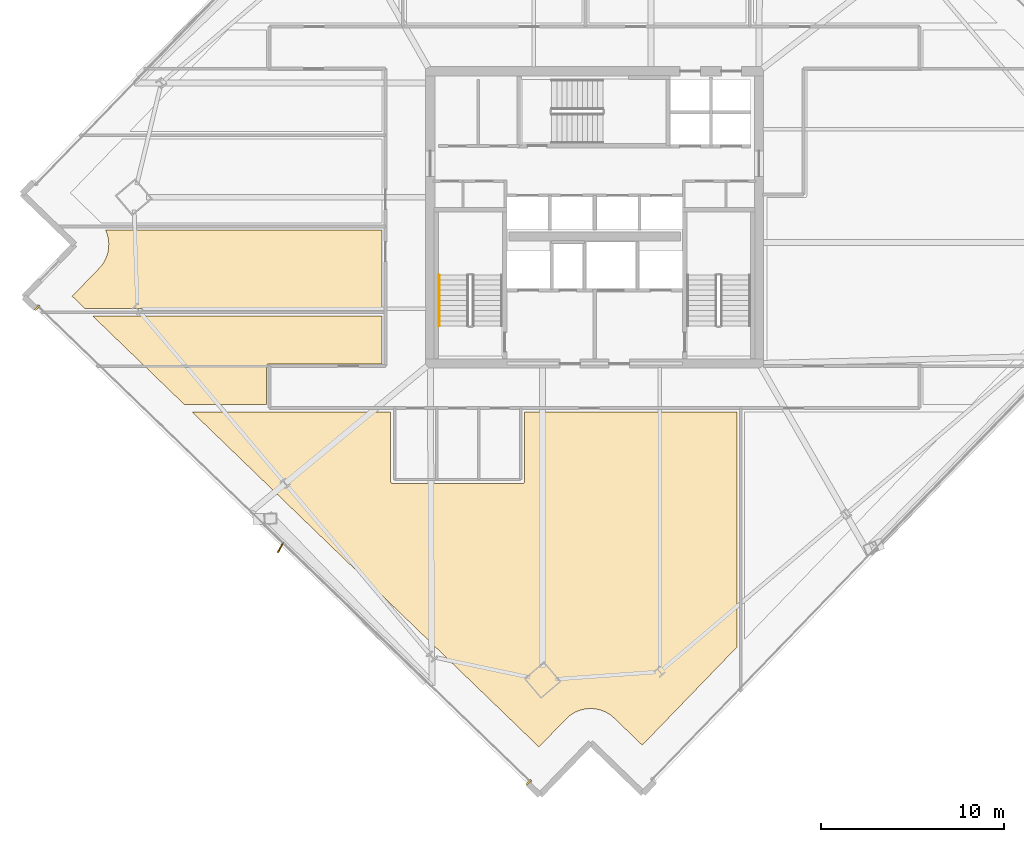
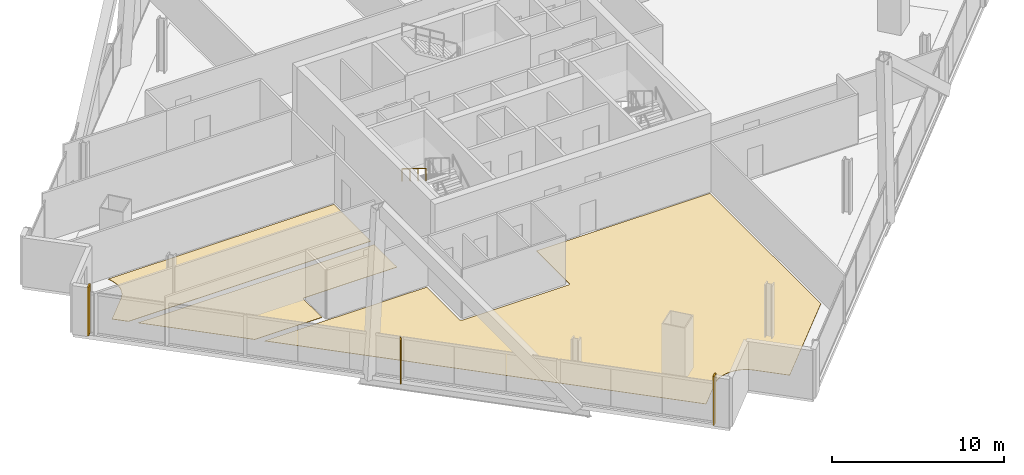
# One storey, part 29 of 33: 5 coverings, 1 railing, 1 shading device.
"""IFC4 building model written with IfcOpenShell, lengths in metres."""

from ifc_helpers import new_model, si_unit, direction, frame, origin, origin_2d, place, context, subcontext, project, spatial, polyline, rectangle, outline, extrude, source, transform, mapped, material, layer, layer_set, type_object, element, save


model = new_model("IFC4")

# Units and contexts
model_context = context("Model", 3, precision=1e-05, world=origin(), true_north=direction((0.0, 1.0)))
body_context = subcontext(model_context, "Body", "Model", "MODEL_VIEW")
ifc_project = project(units=[si_unit("LENGTHUNIT", "METRE"), si_unit("AREAUNIT", "SQUARE_METRE"), si_unit("VOLUMEUNIT", "CUBIC_METRE"), si_unit("PLANEANGLEUNIT", "RADIAN"), si_unit("MASSUNIT", "GRAM", prefix="KILO")], contexts=[model_context])

# Site, building, storey
site_placement = place(None, origin())
site = spatial("IfcSite", under=ifc_project, at=site_placement, CompositionType="ELEMENT")
building_placement = place(site_placement, origin())
building = spatial("IfcBuilding", under=site, at=building_placement, Name="Haldenkirk Collegiate Tower", CompositionType="ELEMENT")
storey_placement = place(building_placement, frame((0.0, 0.0, 181.949951171875)))
storey = spatial("IfcBuildingStorey", under=building, at=storey_placement, Name="L45", CompositionType="ELEMENT", Elevation=181.949951171875)

# Coverings
ifc_material_1 = material(Name="Polished collegiate terrazzo", Category="concrete")
ifc_layer_1 = layer(ifc_material_1, 0.02490234375)
ifc_layer_set_1 = layer_set([ifc_layer_1], Name="Polished collegiate terrazzo")
covering_type_1 = type_object("IfcCoveringType", Name="COV-FLOOR-TERRAZZO", PredefinedType="FLOORING", material=ifc_layer_set_1)
covering_1_placement = place(storey_placement, origin())
element("IfcCovering", 1, at=covering_1_placement, inside=storey, type_object=covering_type_1, Name="L45 academic room finish 08", PredefinedType="FLOORING", context=body_context, shape_type="SweptSolid", body=[
    extrude(outline(polyline([(8.870361328125, 23.2138671875), (8.87451171875, 23.21826171875), (8.987548828125, 23.347412109375), (8.994873046875, 23.356689453125), (9.094482421875, 23.496337890625), (9.10107421875, 23.50634765625), (9.186767578125, 23.655029296875), (9.192138671875, 23.66552734375), (9.2626953125, 23.822021484375), (9.26708984375, 23.8330078125), (9.322265625, 23.99560546875), (9.325439453125, 24.007080078125), (9.3642578125, 24.17431640625), (9.3662109375, 24.18603515625), (9.388427734375, 24.356201171875), (9.389404296875, 24.367919921875), (9.394775390625, 24.53955078125), (9.39453125, 24.551513671875), (9.38330078125, 24.722900390625), (9.3818359375, 24.734375), (9.353759765625, 24.90380859375), (9.351318359375, 24.915283203125), (9.306640625, 25.081298828125), (9.302978515625, 25.09228515625), (9.242431640625, 25.2529296875), (9.23779296875, 25.263916015625), (9.2197265625, 25.300048828125), (24.35009765625, 25.300048828125), (24.35009765625, 21.0), (8.0966796875, 21.0), (7.390869140625, 21.681640625), (8.870361328125, 23.2138671875)])), origin(), (0.0, 0.0, 1.0), 0.025146484375),
])
ifc_material_2 = material(Name="Engineered collegiate oak acoustic flooring", Category="wood")
ifc_layer_2 = layer(ifc_material_2, 0.02197265625)
ifc_layer_set_2 = layer_set([ifc_layer_2], Name="Engineered collegiate oak acoustic flooring")
covering_type_2 = type_object("IfcCoveringType", Name="COV-FLOOR-TIMBER", PredefinedType="FLOORING", material=ifc_layer_set_2)
covering_2_placement = place(storey_placement, origin())
element("IfcCovering", 2, at=covering_2_placement, inside=storey, type_object=covering_type_2, Name="L45 academic room finish 01", PredefinedType="FLOORING", context=body_context, shape_type="SweptSolid", body=[
    extrude(outline(polyline([(36.468017578125, -1.0322265625), (36.457275390625, -1.02783203125), (36.29443359375, -0.972900390625), (36.283203125, -0.969482421875), (36.11572265625, -0.930908203125), (36.104248046875, -0.9287109375), (35.933837890625, -0.906494140625), (35.922119140625, -0.905517578125), (35.75048828125, -0.900146484375), (35.73876953125, -0.900390625), (35.5673828125, -0.911865234375), (35.555908203125, -0.9130859375), (35.386474609375, -0.941162109375), (35.374755859375, -0.943603515625), (35.208984375, -0.98828125), (35.19775390625, -0.991943359375), (35.037109375, -1.052490234375), (35.0263671875, -1.057373046875), (34.872314453125, -1.133544921875), (34.862060546875, -1.139404296875), (34.71630859375, -1.22998046875), (34.70654296875, -1.23681640625), (34.570556640625, -1.341552734375), (34.5615234375, -1.34912109375), (34.436279296875, -1.466796875), (34.43212890625, -1.470703125), (32.952392578125, -3.0029296875), (13.947509765625, 15.35009765625), (24.830078125, 15.35009765625), (24.830078125, 11.550048828125), (24.83056640625, 11.5380859375), (24.832275390625, 11.526611328125), (24.835205078125, 11.51513671875), (24.839111328125, 11.504150390625), (24.84423828125, 11.493408203125), (24.85009765625, 11.4833984375), (24.857177734375, 11.473876953125), (24.864990234375, 11.465087890625), (24.873779296875, 11.457275390625), (24.88330078125, 11.4501953125), (24.893310546875, 11.444091796875), (24.904052734375, 11.439208984375), (24.915283203125, 11.435302734375), (24.926513671875, 11.432373046875), (24.938232421875, 11.4306640625), (24.949951171875, 11.429931640625), (32.050048828125, 11.429931640625), (32.061767578125, 11.4306640625), (32.073486328125, 11.432373046875), (32.084716796875, 11.435302734375), (32.095947265625, 11.439208984375), (32.106689453125, 11.444091796875), (32.11669921875, 11.4501953125), (32.126220703125, 11.457275390625), (32.135009765625, 11.465087890625), (32.142822265625, 11.473876953125), (32.14990234375, 11.4833984375), (32.15576171875, 11.493408203125), (32.160888671875, 11.504150390625), (32.164794921875, 11.51513671875), (32.167724609375, 11.526611328125), (32.16943359375, 11.5380859375), (32.169921875, 11.550048828125), (32.169921875, 15.35009765625), (43.800048828125, 15.35009765625), (43.800048828125, 2.4716796875), (38.6083984375, -2.904296875), (37.076416015625, -1.4248046875), (37.072021484375, -1.420654296875), (36.942626953125, -1.3076171875), (36.93359375, -1.30029296875), (36.793701171875, -1.200439453125), (36.783935546875, -1.194091796875), (36.635009765625, -1.1083984375), (36.62451171875, -1.102783203125), (36.468017578125, -1.0322265625)])), origin(), (0.0, 0.0, 1.0), 0.02197265625),
])
covering_3_placement = place(storey_placement, origin())
element("IfcCovering", 3, at=covering_3_placement, inside=storey, type_object=covering_type_2, Name="L45 academic room finish 07", PredefinedType="FLOORING", context=body_context, shape_type="SweptSolid", body=[
    extrude(outline(polyline([(18.14990234375, 17.969970703125), (18.13818359375, 17.969482421875), (18.126708984375, 17.9677734375), (18.115234375, 17.96484375), (18.10400390625, 17.9609375), (18.093505859375, 17.955810546875), (18.083251953125, 17.94970703125), (18.073974609375, 17.94287109375), (18.065185546875, 17.934814453125), (18.05712890625, 17.926025390625), (18.05029296875, 17.916748046875), (18.044189453125, 17.906494140625), (18.0390625, 17.89599609375), (18.03515625, 17.884765625), (18.0322265625, 17.873291015625), (18.030517578125, 17.86181640625), (18.030029296875, 17.85009765625), (18.030029296875, 15.75), (13.533203125, 15.75), (8.510986328125, 20.60009765625), (24.35009765625, 20.60009765625), (24.35009765625, 17.969970703125), (18.14990234375, 17.969970703125)])), origin(), (0.0, 0.0, 1.0), 0.02197265625),
])

# Railing
ifc_material_3 = material(Name="Painted architectural tubular steel", Category="steel")
railing_type = type_object("IfcRailingType", Name="RLG-STAIR-HANDRAIL-900", PredefinedType="HANDRAIL", material=ifc_material_3)
railing_placement = place(storey_placement, frame((27.5, 22.85009765625, 2.04541015625)))
element("IfcRailing", 4, at=railing_placement, inside=storey, type_object=railing_type, Name="L45 ST-1 stair handrail 2", PredefinedType="HANDRAIL", context=body_context, shape_type="SweptSolid", body=[
    extrude(rectangle(XDim=0.048095703125, YDim=0.048095703125, at=origin_2d()), frame((0.0, 0.0, 0.8759765625), z_axis=(0.0, -0.854169791009, 0.51999420009), x_axis=(1.0, 0.0, 0.0)), (0.0, 0.0, 1.0), 3.278076171875),
    extrude(rectangle(XDim=0.0419921875, YDim=0.0419921875, at=origin_2d()), origin(), (0.0, 0.0, 1.0), 0.851806640625),
    extrude(rectangle(XDim=0.0419921875, YDim=0.0419921875, at=origin_2d()), frame((0.0, -0.933349609375, 0.568115234375)), (0.0, 0.0, 1.0), 0.851806640625),
    extrude(rectangle(XDim=0.0419921875, YDim=0.0419921875, at=origin_2d()), frame((0.0, -1.86669921875, 1.136474609375)), (0.0, 0.0, 1.0), 0.851806640625),
    extrude(rectangle(XDim=0.0419921875, YDim=0.0419921875, at=origin_2d()), frame((0.0, -2.800048828125, 1.70458984375)), (0.0, 0.0, 1.0), 0.851806640625),
])

# Coverings
ifc_material_4 = material(Name="Anodised architectural bronze aluminium", Category="aluminium")
ifc_layer_3 = layer(ifc_material_4, 0.06005859375)
ifc_layer_set_3 = layer_set([ifc_layer_3], Name="Anodised architectural bronze aluminium")
covering_type_3 = type_object("IfcCoveringType", Name="COV-CLAD-BRONZE-60", PredefinedType="CLADDING", material=ifc_layer_set_3)
shared_shape_1 = source(origin(), body_context, "Body", "SweptSolid", [
    extrude(rectangle(XDim=0.10009765625, YDim=0.3798828125, at=origin_2d()), origin(), (0.0, 0.0, 1.0), 3.4599609375),
])
for number, where, z_axis, x_axis, name in (
    (5, (32.39208984375, -4.936279296875, 0.0), (0.0, 0.0, 1.0), (-0.719339800339, 0.694658370459, 0.0), "L45 recessed curtain-wall bronze jamb closure WJL"),
    (6, (5.47802734375, 21.05419921875, 0.0), (0.0, 0.0, 1.0), (-0.719339800339, 0.694658370459, 0.0), "L45 recessed curtain-wall bronze jamb closure WJR"),
):
    element("IfcCovering", number, at=place(storey_placement, frame(where, z_axis=z_axis, x_axis=x_axis)), inside=storey, type_object=covering_type_3, Name=name, PredefinedType="CLADDING", context=body_context, shape_type="MappedRepresentation", body=[
        mapped(shared_shape_1, transform((0.0, 0.0, 0.0), x_axis=(1.0, 0.0, 0.0), y_axis=(0.0, 1.0, 0.0), z_axis=(0.0, 0.0, 1.0), scale=1.0)),
    ])

# Shading device
ifc_layer_4 = layer(ifc_material_4, 0.06494140625)
ifc_layer_set_4 = layer_set([ifc_layer_4], Name="Anodised architectural bronze aluminium")
shading_device_type = type_object("IfcShadingDeviceType", Name="SHD-FIN-BRONZE-620", PredefinedType="USERDEFINED", material=ifc_layer_set_4)
shared_shape_2 = source(origin(), body_context, "Body", "SweptSolid", [
    extrude(rectangle(XDim=0.6201171875, YDim=0.06494140625, at=origin_2d()), origin(), (0.0, 0.0, 1.0), 2.910888671875),
])
shading_device_placement = place(storey_placement, frame((18.792724609375, 7.911376953125, 0.0), z_axis=(0.0, 0.0, 1.0), x_axis=(-0.469471562786, -0.882947592859, 0.0)))
element("IfcShadingDevice", 7, at=shading_device_placement, inside=storey, type_object=shading_device_type, Name="L45 folded bronze solar fin 1", ObjectType="FIN", PredefinedType="USERDEFINED", context=body_context, shape_type="MappedRepresentation", body=[
    mapped(shared_shape_2, transform((0.0, 0.0, 0.0), x_axis=(1.0, 0.0, 0.0), y_axis=(0.0, 1.0, 0.0), z_axis=(0.0, 0.0, 1.0), scale=1.0)),
])

save(model, "model.ifc")
